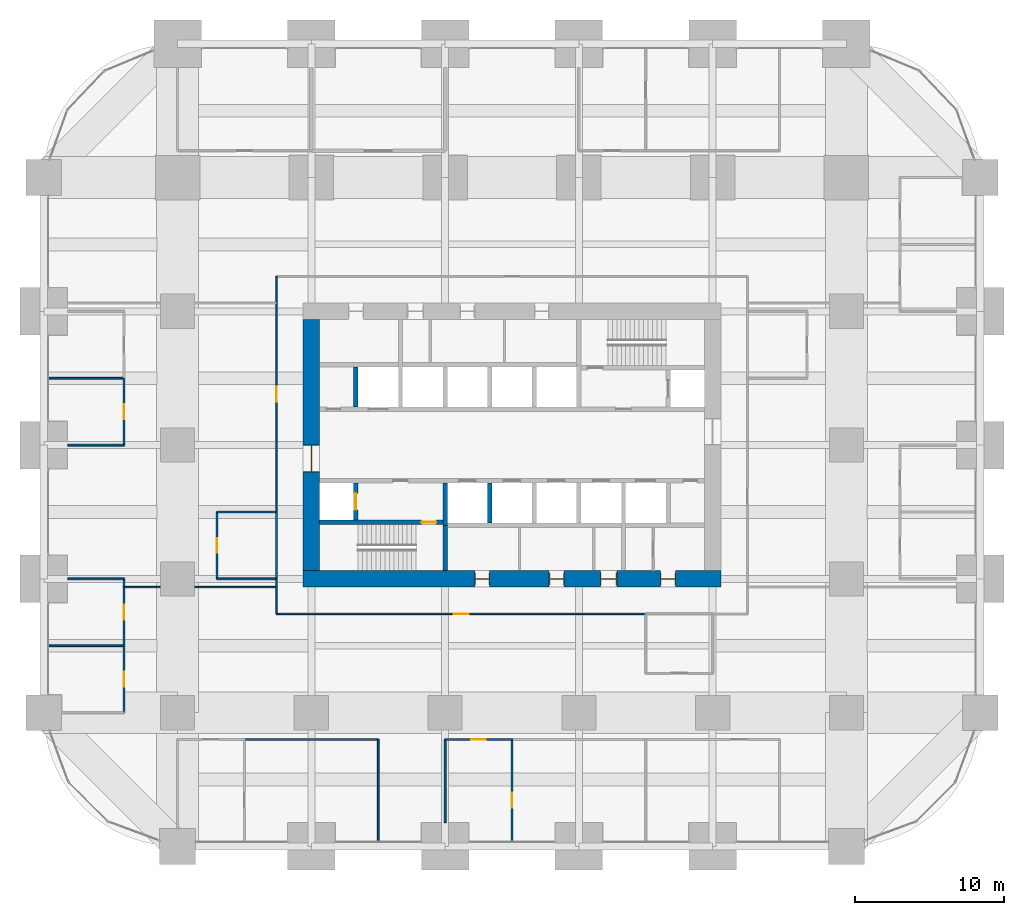
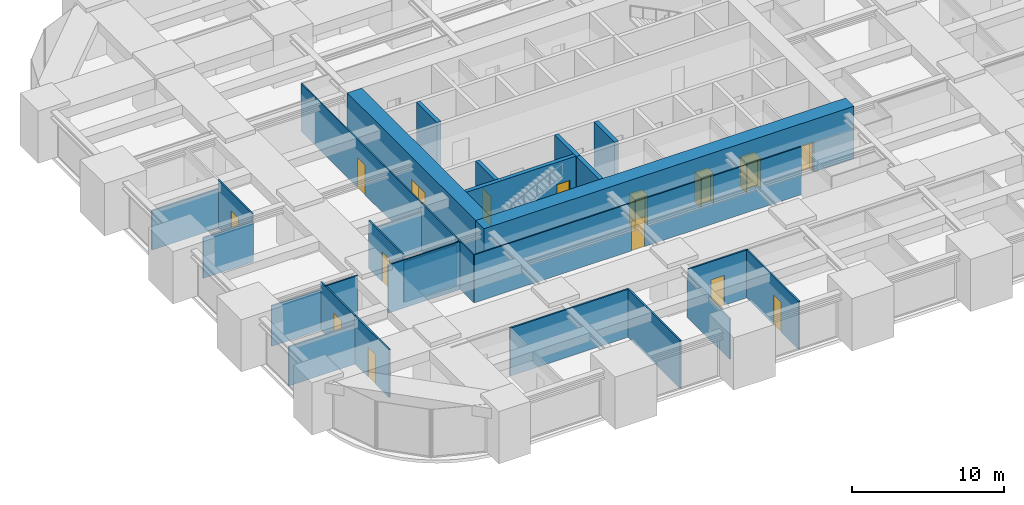
# One storey, part 38 of 42: 29 walls, 15 doors, 15 openings.
"""IFC4 building model written with IfcOpenShell, lengths in metres."""

from ifc_helpers import new_model, si_unit, direction, frame, frame_2d, origin, place, context, subcontext, project, spatial, rectangle, extrude, material, layer, layer_set, type_object, element, fill, save


model = new_model("IFC4")

# Units and contexts
model_context = context("Model", 3, precision=1e-05, world=origin(), true_north=direction((0.0, 1.0)))
body_context = subcontext(model_context, "Body", "Model", "MODEL_VIEW")
ifc_project = project(units=[si_unit("LENGTHUNIT", "METRE"), si_unit("AREAUNIT", "SQUARE_METRE"), si_unit("VOLUMEUNIT", "CUBIC_METRE"), si_unit("PLANEANGLEUNIT", "RADIAN"), si_unit("MASSUNIT", "GRAM", prefix="KILO")], contexts=[model_context])

# Site, building, storey
site_placement = place(None, origin())
site = spatial("IfcSite", under=ifc_project, at=site_placement, CompositionType="ELEMENT")
building_placement = place(site_placement, origin())
building = spatial("IfcBuilding", under=site, at=building_placement, Name="Zorevar Civic Tower", CompositionType="ELEMENT")
storey_placement = place(building_placement, frame((0.0, 0.0, 75.800048828125)))
storey = spatial("IfcBuildingStorey", under=building, at=storey_placement, Name="L18", CompositionType="ELEMENT", Elevation=75.800048828125)

# Wall, openings, doors
ifc_material_1 = material(Name="Concrete C50/60", Category="concrete")
ifc_layer_1 = layer(ifc_material_1, 1.10009765625)
ifc_layer_set_1 = layer_set([ifc_layer_1], Name="Core wall 1100")
wall_type_1 = type_object("IfcWallType", Name="Core wall 1100", PredefinedType="SHEAR", material=ifc_layer_set_1)
wall_1_placement = place(storey_placement, frame((17.449951171875, 18.0, 0.0), z_axis=(0.0, 0.0, 1.0), x_axis=(1.0, 0.0, 0.0)))
wall_1 = element("IfcWall", 1, at=wall_1_placement, inside=storey, type_object=wall_type_1, Name="Core wall S L18", PredefinedType="SHEAR", context=body_context, shape_type="SweptSolid", body=[
    extrude(rectangle(XDim=28.10009765625, YDim=1.10009765625, at=frame_2d((14.050048828125, 0.0))), origin(), (0.0, 0.0, 1.0), 4.199951171875),
])
opening_1_placement = place(wall_1_placement, frame((11.550048828125, 0.0, 0.0)))
opening_1 = element("IfcOpeningElement", 2, at=opening_1_placement, cuts=wall_1, Name="Opening L18.03", PredefinedType="OPENING", context=body_context, shape_type="SweptSolid", body=[
    extrude(rectangle(XDim=1.0, YDim=2.39990234375, at=frame_2d((0.5, 1.199951171875))), frame((0.0, 0.56005859375, 0.0), z_axis=(0.0, -1.0, 0.0), x_axis=(1.0, 0.0, 0.0)), (0.0, 0.0, 1.0), 1.1201171875),
])
opening_2_placement = place(wall_1_placement, frame((16.550048828125, 0.0, 0.0)))
opening_2 = element("IfcOpeningElement", 3, at=opening_2_placement, cuts=wall_1, Name="Opening L18.04", PredefinedType="OPENING", context=body_context, shape_type="SweptSolid", body=[
    extrude(rectangle(XDim=1.0, YDim=2.39990234375, at=frame_2d((0.5, 1.199951171875))), frame((0.0, 0.56005859375, 0.0), z_axis=(0.0, -1.0, 0.0), x_axis=(1.0, 0.0, 0.0)), (0.0, 0.0, 1.0), 1.1201171875),
])
opening_3_placement = place(wall_1_placement, frame((20.0, 0.0, 0.0)))
opening_3 = element("IfcOpeningElement", 4, at=opening_3_placement, cuts=wall_1, Name="Opening L18.05", PredefinedType="OPENING", context=body_context, shape_type="SweptSolid", body=[
    extrude(rectangle(XDim=1.10009765625, YDim=2.39990234375, at=frame_2d((0.550048828125, 1.199951171875))), frame((0.0, 0.56005859375, 0.0), z_axis=(0.0, -1.0, 0.0), x_axis=(1.0, 0.0, 0.0)), (0.0, 0.0, 1.0), 1.1201171875),
])
opening_4_placement = place(wall_1_placement, frame((24.050048828125, 0.0, 0.0)))
opening_4 = element("IfcOpeningElement", 5, at=opening_4_placement, cuts=wall_1, Name="Opening L18.06", PredefinedType="OPENING", context=body_context, shape_type="SweptSolid", body=[
    extrude(rectangle(XDim=1.0, YDim=2.39990234375, at=frame_2d((0.5, 1.199951171875))), frame((0.0, 0.56005859375, 0.0), z_axis=(0.0, -1.0, 0.0), x_axis=(1.0, 0.0, 0.0)), (0.0, 0.0, 1.0), 1.1201171875),
])
ifc_material_2 = material(Name="Timber door set", Category="wood")
door_type_1 = type_object("IfcDoorType", Name="Door D1 1000x2400", OperationType="SINGLE_SWING_LEFT", PredefinedType="DOOR", material=ifc_material_2)
door_1_placement = place(opening_1_placement, origin())
door_1 = element("IfcDoor", 6, at=door_1_placement, inside=storey, type_object=door_type_1, Name="Door L18 02", OperationType="SINGLE_SWING_RIGHT", OverallHeight=2.39990234375, OverallWidth=1.0, PredefinedType="DOOR", context=body_context, shape_type="SweptSolid", body=[
    extrude(rectangle(XDim=1.0, YDim=2.39990234375, at=frame_2d((0.5, 1.199951171875))), frame((0.0, 0.02490234375, 0.0), z_axis=(0.0, -1.0, 0.0), x_axis=(1.0, 0.0, 0.0)), (0.0, 0.0, 1.0), 0.050048828125),
    extrude(rectangle(XDim=0.04, YDim=2.39990234375, at=frame_2d((0.02001953125, 1.199951171875))), frame((0.0, 0.39990234375, 0.0), z_axis=(0.0, -1.0, 0.0), x_axis=(1.0, 0.0, 0.0)), (0.0, 0.0, 1.0), 0.800048828125),
    extrude(rectangle(XDim=0.04, YDim=2.39990234375, at=frame_2d((0.97998046875, 1.199951171875))), frame((0.0, 0.39990234375, 0.0), z_axis=(0.0, -1.0, 0.0), x_axis=(1.0, 0.0, 0.0)), (0.0, 0.0, 1.0), 0.800048828125),
    extrude(rectangle(XDim=1.0, YDim=0.04, at=frame_2d((0.5, 2.3798828125))), frame((0.0, 0.39990234375, 0.0), z_axis=(0.0, -1.0, 0.0), x_axis=(1.0, 0.0, 0.0)), (0.0, 0.0, 1.0), 0.800048828125),
])
fill(opening_1, door_1)
door_2_placement = place(opening_2_placement, origin())
door_2 = element("IfcDoor", 7, at=door_2_placement, inside=storey, type_object=door_type_1, Name="Door L18 03", OperationType="SINGLE_SWING_LEFT", OverallHeight=2.39990234375, OverallWidth=1.0, PredefinedType="DOOR", context=body_context, shape_type="SweptSolid", body=[
    extrude(rectangle(XDim=1.0, YDim=2.39990234375, at=frame_2d((0.5, 1.199951171875))), frame((0.0, 0.02490234375, 0.0), z_axis=(0.0, -1.0, 0.0), x_axis=(1.0, 0.0, 0.0)), (0.0, 0.0, 1.0), 0.050048828125),
    extrude(rectangle(XDim=0.04, YDim=2.39990234375, at=frame_2d((0.02001953125, 1.199951171875))), frame((0.0, 0.39990234375, 0.0), z_axis=(0.0, -1.0, 0.0), x_axis=(1.0, 0.0, 0.0)), (0.0, 0.0, 1.0), 0.800048828125),
    extrude(rectangle(XDim=0.04, YDim=2.39990234375, at=frame_2d((0.97998046875, 1.199951171875))), frame((0.0, 0.39990234375, 0.0), z_axis=(0.0, -1.0, 0.0), x_axis=(1.0, 0.0, 0.0)), (0.0, 0.0, 1.0), 0.800048828125),
    extrude(rectangle(XDim=1.0, YDim=0.04, at=frame_2d((0.5, 2.3798828125))), frame((0.0, 0.39990234375, 0.0), z_axis=(0.0, -1.0, 0.0), x_axis=(1.0, 0.0, 0.0)), (0.0, 0.0, 1.0), 0.800048828125),
])
fill(opening_2, door_2)
door_3_placement = place(opening_4_placement, origin())
door_3 = element("IfcDoor", 8, at=door_3_placement, inside=storey, type_object=door_type_1, Name="Door L18 05", OperationType="SINGLE_SWING_LEFT", OverallHeight=2.39990234375, OverallWidth=1.0, PredefinedType="DOOR", context=body_context, shape_type="SweptSolid", body=[
    extrude(rectangle(XDim=1.0, YDim=2.39990234375, at=frame_2d((0.5, 1.199951171875))), frame((0.0, 0.02490234375, 0.0), z_axis=(0.0, -1.0, 0.0), x_axis=(1.0, 0.0, 0.0)), (0.0, 0.0, 1.0), 0.050048828125),
    extrude(rectangle(XDim=0.04, YDim=2.39990234375, at=frame_2d((0.02001953125, 1.199951171875))), frame((0.0, 0.39990234375, 0.0), z_axis=(0.0, -1.0, 0.0), x_axis=(1.0, 0.0, 0.0)), (0.0, 0.0, 1.0), 0.800048828125),
    extrude(rectangle(XDim=0.04, YDim=2.39990234375, at=frame_2d((0.97998046875, 1.199951171875))), frame((0.0, 0.39990234375, 0.0), z_axis=(0.0, -1.0, 0.0), x_axis=(1.0, 0.0, 0.0)), (0.0, 0.0, 1.0), 0.800048828125),
    extrude(rectangle(XDim=1.0, YDim=0.04, at=frame_2d((0.5, 2.3798828125))), frame((0.0, 0.39990234375, 0.0), z_axis=(0.0, -1.0, 0.0), x_axis=(1.0, 0.0, 0.0)), (0.0, 0.0, 1.0), 0.800048828125),
])
fill(opening_4, door_3)
ifc_material_3 = material(Name="Timber door set", Category="wood")
door_type_2 = type_object("IfcDoorType", Name="Door D5 1100x2400", OperationType="SINGLE_SWING_LEFT", PredefinedType="DOOR", material=ifc_material_3)
door_4_placement = place(opening_3_placement, origin())
door_4 = element("IfcDoor", 9, at=door_4_placement, inside=storey, type_object=door_type_2, Name="Door L18 04", OperationType="SINGLE_SWING_LEFT", OverallHeight=2.39990234375, OverallWidth=1.10009765625, PredefinedType="DOOR", context=body_context, shape_type="SweptSolid", body=[
    extrude(rectangle(XDim=1.10009765625, YDim=2.39990234375, at=frame_2d((0.550048828125, 1.199951171875))), frame((0.0, 0.02490234375, 0.0), z_axis=(0.0, -1.0, 0.0), x_axis=(1.0, 0.0, 0.0)), (0.0, 0.0, 1.0), 0.050048828125),
    extrude(rectangle(XDim=0.04, YDim=2.39990234375, at=frame_2d((0.02001953125, 1.199951171875))), frame((0.0, 0.43994140625, 0.0), z_axis=(0.0, -1.0, 0.0), x_axis=(1.0, 0.0, 0.0)), (0.0, 0.0, 1.0), 0.880126953125),
    extrude(rectangle(XDim=0.04, YDim=2.39990234375, at=frame_2d((1.080078125, 1.199951171875))), frame((0.0, 0.43994140625, 0.0), z_axis=(0.0, -1.0, 0.0), x_axis=(1.0, 0.0, 0.0)), (0.0, 0.0, 1.0), 0.880126953125),
    extrude(rectangle(XDim=1.10009765625, YDim=0.04, at=frame_2d((0.550048828125, 2.3798828125))), frame((0.0, 0.43994140625, 0.0), z_axis=(0.0, -1.0, 0.0), x_axis=(1.0, 0.0, 0.0)), (0.0, 0.0, 1.0), 0.880126953125),
])
fill(opening_3, door_4)

# Wall, opening, door
wall_2_placement = place(storey_placement, frame((18.0, 35.449951171875, 0.0), z_axis=(0.0, 0.0, 1.0), x_axis=(0.0, -1.0, 0.0)))
wall_2 = element("IfcWall", 10, at=wall_2_placement, inside=storey, type_object=wall_type_1, Name="Core wall W L18", PredefinedType="SHEAR", context=body_context, shape_type="SweptSolid", body=[
    extrude(rectangle(XDim=16.89990234375, YDim=1.10009765625, at=frame_2d((8.449951171875, 0.0))), origin(), (0.0, 0.0, 1.0), 4.199951171875),
])
opening_5_placement = place(wall_2_placement, frame((8.449951171875, 0.0, 0.0)))
opening_5 = element("IfcOpeningElement", 11, at=opening_5_placement, cuts=wall_2, Name="Opening L18.01", PredefinedType="OPENING", context=body_context, shape_type="SweptSolid", body=[
    extrude(rectangle(XDim=1.800048828125, YDim=2.39990234375, at=frame_2d((0.89990234375, 1.199951171875))), frame((0.0, 0.56005859375, 0.0), z_axis=(0.0, -1.0, 0.0), x_axis=(1.0, 0.0, 0.0)), (0.0, 0.0, 1.0), 1.1201171875),
])
ifc_material_4 = material(Name="Steel door set", Category="steel")
door_type_3 = type_object("IfcDoorType", Name="Fire door FD2 1800x2400", OperationType="DOUBLE_DOOR_DOUBLE_SWING", PredefinedType="DOOR", material=ifc_material_4)
door_5_placement = place(opening_5_placement, origin())
door_5 = element("IfcDoor", 12, at=door_5_placement, inside=storey, type_object=door_type_3, Name="Door L18 00", OperationType="DOUBLE_DOOR_DOUBLE_SWING", OverallHeight=2.39990234375, OverallWidth=1.800048828125, PredefinedType="DOOR", context=body_context, shape_type="SweptSolid", body=[
    extrude(rectangle(XDim=1.800048828125, YDim=2.39990234375, at=frame_2d((0.89990234375, 1.199951171875))), frame((0.0, 0.030029296875, 0.0), z_axis=(0.0, -1.0, 0.0), x_axis=(1.0, 0.0, 0.0)), (0.0, 0.0, 1.0), 0.06005859375),
    extrude(rectangle(XDim=0.04, YDim=2.39990234375, at=frame_2d((0.02001953125, 1.199951171875))), frame((0.0, 0.5498046875, 0.0), z_axis=(0.0, -1.0, 0.0), x_axis=(1.0, 0.0, 0.0)), (0.0, 0.0, 1.0), 1.099609375),
    extrude(rectangle(XDim=0.04, YDim=2.39990234375, at=frame_2d((1.780029296875, 1.199951171875))), frame((0.0, 0.5498046875, 0.0), z_axis=(0.0, -1.0, 0.0), x_axis=(1.0, 0.0, 0.0)), (0.0, 0.0, 1.0), 1.099609375),
    extrude(rectangle(XDim=1.800048828125, YDim=0.04, at=frame_2d((0.89990234375, 2.3798828125))), frame((0.0, 0.5498046875, 0.0), z_axis=(0.0, -1.0, 0.0), x_axis=(1.0, 0.0, 0.0)), (0.0, 0.0, 1.0), 1.099609375),
])
fill(opening_5, door_5)

ifc_material_5 = material(Name="Laminated glass in black aluminium frame", Category="aluminium")
ifc_layer_2 = layer(ifc_material_5, 0.10009765625)
ifc_layer_set_2 = layer_set([ifc_layer_2], Name="Glazed partition 100")
wall_type_2 = type_object("IfcWallType", Name="Glazed partition 100", PredefinedType="PARTITIONING", material=ifc_layer_set_2)
wall_3_placement = place(storey_placement, frame((15.64990234375, 15.64990234375, 0.0), z_axis=(0.0, 0.0, 1.0), x_axis=(1.0, 0.0, 0.0)))
wall_3 = element("IfcWall", 13, at=wall_3_placement, inside=storey, type_object=wall_type_2, Name="Glazed partition 100 L18", PredefinedType="PARTITIONING", context=body_context, shape_type="SweptSolid", body=[
    extrude(rectangle(XDim=24.85009765625, YDim=0.10009765625, at=frame_2d((12.425048828125, 0.0))), origin(), (0.0, 0.0, 1.0), 3.849853515625),
])
opening_6_placement = place(wall_3_placement, frame((11.925048828125, 0.0, 0.0)))
opening_6 = element("IfcOpeningElement", 14, at=opening_6_placement, cuts=wall_3, Name="Opening L18.21", PredefinedType="OPENING", context=body_context, shape_type="SweptSolid", body=[
    extrude(rectangle(XDim=1.0, YDim=2.39990234375, at=frame_2d((0.5, 1.199951171875))), frame((0.0, 0.06005859375, 0.0), z_axis=(0.0, -1.0, 0.0), x_axis=(1.0, 0.0, 0.0)), (0.0, 0.0, 1.0), 0.1201171875),
])
ifc_material_6 = material(Name="Timber door set", Category="wood")
door_type_4 = type_object("IfcDoorType", Name="Glazed door GD1 1000x2400", OperationType="SINGLE_SWING_LEFT", PredefinedType="DOOR", material=ifc_material_6)
door_6_placement = place(opening_6_placement, origin())
door_6 = element("IfcDoor", 15, at=door_6_placement, inside=storey, type_object=door_type_4, Name="Door L18 D1", OperationType="SINGLE_SWING_RIGHT", OverallHeight=2.39990234375, OverallWidth=1.0, PredefinedType="DOOR", context=body_context, shape_type="SweptSolid", body=[
    extrude(rectangle(XDim=1.0, YDim=2.39990234375, at=frame_2d((0.5, 1.199951171875))), frame((0.0, 0.02001953125, 0.0), z_axis=(0.0, -1.0, 0.0), x_axis=(1.0, 0.0, 0.0)), (0.0, 0.0, 1.0), 0.0400390625),
])
fill(opening_6, door_6)

# Walls
wall_4_placement = place(storey_placement, frame((5.389892578125, 17.449951171875, 0.0), z_axis=(0.0, 0.0, 1.0), x_axis=(1.0, 0.0, 0.0)))
element("IfcWall", 16, at=wall_4_placement, inside=storey, type_object=wall_type_2, Name="Glazed partition 100 L18", PredefinedType="PARTITIONING", context=body_context, shape_type="SweptSolid", body=[
    extrude(rectangle(XDim=2.460205078125, YDim=0.10009765625, at=frame_2d((1.22998046875, 0.0))), origin(), (0.0, 0.0, 1.0), 3.849853515625),
])
wall_5_placement = place(storey_placement, frame((10.14990234375, 17.449951171875, 0.0), z_axis=(0.0, 0.0, 1.0), x_axis=(1.0, 0.0, 0.0)))
element("IfcWall", 17, at=wall_5_placement, inside=storey, type_object=wall_type_2, Name="Glazed partition 100 L18", PredefinedType="PARTITIONING", context=body_context, shape_type="SweptSolid", body=[
    extrude(rectangle(XDim=5.5, YDim=0.10009765625, at=frame_2d((2.75, 0.0))), origin(), (0.0, 0.0, 1.0), 3.849853515625),
])
wall_6_placement = place(storey_placement, frame((15.64990234375, 15.64990234375, 0.0), z_axis=(0.0, 0.0, 1.0), x_axis=(0.0, 1.0, 0.0)))
element("IfcWall", 18, at=wall_6_placement, inside=storey, type_object=wall_type_2, Name="Glazed partition 100 L18", PredefinedType="PARTITIONING", context=body_context, shape_type="SweptSolid", body=[
    extrude(rectangle(XDim=2.35009765625, YDim=0.10009765625, at=frame_2d((1.175048828125, 0.0))), origin(), (0.0, 0.0, 1.0), 3.849853515625),
])

# Wall, opening, door
wall_7_placement = place(storey_placement, frame((15.64990234375, 22.5, 0.0), z_axis=(0.0, 0.0, 1.0), x_axis=(0.0, 1.0, 0.0)))
wall_7 = element("IfcWall", 19, at=wall_7_placement, inside=storey, type_object=wall_type_2, Name="Glazed partition 100 L18", PredefinedType="PARTITIONING", context=body_context, shape_type="SweptSolid", body=[
    extrude(rectangle(XDim=15.85009765625, YDim=0.10009765625, at=frame_2d((7.925048828125, 0.0))), origin(), (0.0, 0.0, 1.0), 3.849853515625),
])
opening_7_placement = place(wall_7_placement, frame((7.425048828125, 0.0, 0.0)))
opening_7 = element("IfcOpeningElement", 20, at=opening_7_placement, cuts=wall_7, Name="Opening L18.32", PredefinedType="OPENING", context=body_context, shape_type="SweptSolid", body=[
    extrude(rectangle(XDim=1.0, YDim=2.39990234375, at=frame_2d((0.5, 1.199951171875))), frame((0.0, 0.06005859375, 0.0), z_axis=(0.0, -1.0, 0.0), x_axis=(1.0, 0.0, 0.0)), (0.0, 0.0, 1.0), 0.1201171875),
])
door_7_placement = place(opening_7_placement, origin())
door_7 = element("IfcDoor", 21, at=door_7_placement, inside=storey, type_object=door_type_4, Name="Door L18 D1", OperationType="SINGLE_SWING_LEFT", OverallHeight=2.39990234375, OverallWidth=1.0, PredefinedType="DOOR", context=body_context, shape_type="SweptSolid", body=[
    extrude(rectangle(XDim=1.0, YDim=2.39990234375, at=frame_2d((0.5, 1.199951171875))), frame((0.0, 0.02001953125, 0.0), z_axis=(0.0, -1.0, 0.0), x_axis=(1.0, 0.0, 0.0)), (0.0, 0.0, 1.0), 0.0400390625),
])
fill(opening_7, door_7)

ifc_material_7 = material(Name="Concrete C40/50", Category="concrete")
ifc_layer_3 = layer(ifc_material_7, 0.300048828125)
ifc_layer_set_3 = layer_set([ifc_layer_3], Name="Inner core wall 300")
wall_type_3 = type_object("IfcWallType", Name="Inner core wall 300", PredefinedType="SHEAR", material=ifc_layer_set_3)
wall_8_placement = place(storey_placement, frame((18.550048828125, 21.800048828125, 0.0), z_axis=(0.0, 0.0, 1.0), x_axis=(1.0, 0.0, 0.0)))
wall_8 = element("IfcWall", 22, at=wall_8_placement, inside=storey, type_object=wall_type_3, Name="Inner core wall S00 L18", PredefinedType="SHEAR", context=body_context, shape_type="SweptSolid", body=[
    extrude(rectangle(XDim=8.300048828125, YDim=0.300048828125, at=frame_2d((4.14990234375, 0.0))), origin(), (0.0, 0.0, 1.0), 4.199951171875),
])
opening_8_placement = place(wall_8_placement, frame((6.85009765625, 0.0, 0.0)))
opening_8 = element("IfcOpeningElement", 23, at=opening_8_placement, cuts=wall_8, Name="Opening L18.11", PredefinedType="OPENING", context=body_context, shape_type="SweptSolid", body=[
    extrude(rectangle(XDim=1.0, YDim=2.39990234375, at=frame_2d((0.5, 1.199951171875))), frame((0.0, 0.159912109375, 0.0), z_axis=(0.0, -1.0, 0.0), x_axis=(1.0, 0.0, 0.0)), (0.0, 0.0, 1.0), 0.320068359375),
])
ifc_material_8 = material(Name="Steel door set", Category="steel")
door_type_5 = type_object("IfcDoorType", Name="Fire door FD1 1000x2400", OperationType="SINGLE_SWING_LEFT", PredefinedType="DOOR", material=ifc_material_8)
door_8_placement = place(opening_8_placement, origin())
door_8 = element("IfcDoor", 24, at=door_8_placement, inside=storey, type_object=door_type_5, Name="Door L18 10", OperationType="SINGLE_SWING_RIGHT", OverallHeight=2.39990234375, OverallWidth=1.0, PredefinedType="DOOR", context=body_context, shape_type="SweptSolid", body=[
    extrude(rectangle(XDim=1.0, YDim=2.39990234375, at=frame_2d((0.5, 1.199951171875))), frame((0.0, 0.030029296875, 0.0), z_axis=(0.0, -1.0, 0.0), x_axis=(1.0, 0.0, 0.0)), (0.0, 0.0, 1.0), 0.06005859375),
])
fill(opening_8, door_8)

# Wall
wall_9_placement = place(storey_placement, frame((27.0, 18.550048828125, 0.0), z_axis=(0.0, 0.0, 1.0), x_axis=(0.0, 1.0, 0.0)))
element("IfcWall", 25, at=wall_9_placement, inside=storey, type_object=wall_type_3, Name="Inner core wall S01 L18", PredefinedType="SHEAR", context=body_context, shape_type="SweptSolid", body=[
    extrude(rectangle(XDim=3.050048828125, YDim=0.300048828125, at=frame_2d((1.52490234375, 0.0))), origin(), (0.0, 0.0, 1.0), 4.199951171875),
])

# Wall, opening, door
wall_10_placement = place(storey_placement, frame((21.0, 21.949951171875, 0.0), z_axis=(0.0, 0.0, 1.0), x_axis=(0.0, 1.0, 0.0)))
wall_10 = element("IfcWall", 26, at=wall_10_placement, inside=storey, type_object=wall_type_3, Name="Inner core wall S02 L18", PredefinedType="SHEAR", context=body_context, shape_type="SweptSolid", body=[
    extrude(rectangle(XDim=2.5, YDim=0.300048828125, at=frame_2d((1.25, 0.0))), origin(), (0.0, 0.0, 1.0), 4.199951171875),
])
opening_9_placement = place(wall_10_placement, frame((0.699951171875, 0.0, 0.0)))
opening_9 = element("IfcOpeningElement", 27, at=opening_9_placement, cuts=wall_10, Name="Opening L18.FL1", PredefinedType="OPENING", context=body_context, shape_type="SweptSolid", body=[
    extrude(rectangle(XDim=1.10009765625, YDim=2.39990234375, at=frame_2d((0.550048828125, 1.199951171875))), frame((0.0, 0.159912109375, 0.0), z_axis=(0.0, -1.0, 0.0), x_axis=(1.0, 0.0, 0.0)), (0.0, 0.0, 1.0), 0.320068359375),
])
ifc_material_9 = material(Name="Steel door set", Category="steel")
door_type_6 = type_object("IfcDoorType", Name="Firefighting lift landing door LD3 1100x2400", OperationType="DOUBLE_DOOR_SLIDING", PredefinedType="DOOR", material=ifc_material_9)
door_9_placement = place(opening_9_placement, origin())
door_9 = element("IfcDoor", 28, at=door_9_placement, inside=storey, type_object=door_type_6, Name="Landing door FL1 L18", OperationType="DOUBLE_DOOR_SLIDING", OverallHeight=2.39990234375, OverallWidth=1.10009765625, PredefinedType="DOOR", context=body_context, shape_type="SweptSolid", body=[
    extrude(rectangle(XDim=1.10009765625, YDim=2.39990234375, at=frame_2d((0.550048828125, 1.199951171875))), frame((0.0, 0.030029296875, 0.0), z_axis=(0.0, -1.0, 0.0), x_axis=(1.0, 0.0, 0.0)), (0.0, 0.0, 1.0), 0.06005859375),
])
fill(opening_9, door_9)

# Walls
for number, where, z_axis, x_axis, name in (
    (29, (30.0, 21.75, 0.0), (0.0, 0.0, 1.0), (0.0, 1.0, 0.0), "Inner core wall S05 L18"),
    (30, (21.0, 29.550048828125, 0.0), (0.0, 0.0, 1.0), (0.0, 1.0, 0.0), "Inner core wall N09 L18"),
):
    element("IfcWall", number, at=place(storey_placement, frame(where, z_axis=z_axis, x_axis=x_axis)), inside=storey, type_object=wall_type_3, Name=name, PredefinedType="SHEAR", context=body_context, shape_type="SweptSolid", body=[
        extrude(rectangle(XDim=2.699951171875, YDim=0.300048828125, at=frame_2d((1.35009765625, 0.0))), origin(), (0.0, 0.0, 1.0), 4.199951171875),
    ])
wall_11_placement = place(storey_placement, frame((27.0, 21.60009765625, 0.0), z_axis=(0.0, 0.0, 1.0), x_axis=(0.0, 1.0, 0.0)))
element("IfcWall", 31, at=wall_11_placement, inside=storey, type_object=wall_type_3, Name="Inner core wall S10 L18", PredefinedType="SHEAR", context=body_context, shape_type="SweptSolid", body=[
    extrude(rectangle(XDim=2.849853515625, YDim=0.300048828125, at=frame_2d((1.4248046875, 0.0))), origin(), (0.0, 0.0, 1.0), 4.199951171875),
])
ifc_material_10 = material(Name="Gypsum board on steel studs", Category="steel")
ifc_layer_4 = layer(ifc_material_10, 0.1201171875)
ifc_layer_set_4 = layer_set([ifc_layer_4], Name="Partition 120")
wall_type_4 = type_object("IfcWallType", Name="Partition 120", PredefinedType="PARTITIONING", material=ifc_layer_set_4)
wall_12_placement = place(storey_placement, frame((13.5, 7.199951171875, 0.0), z_axis=(0.0, 0.0, 1.0), x_axis=(1.0, 0.0, 0.0)))
element("IfcWall", 32, at=wall_12_placement, inside=storey, type_object=wall_type_4, Name="Partition 120 L18", PredefinedType="PARTITIONING", context=body_context, shape_type="SweptSolid", body=[
    extrude(rectangle(XDim=9.0, YDim=0.1201171875, at=frame_2d((4.5, 0.0))), origin(), (0.0, 0.0, 1.0), 3.849853515625),
])

# Wall, opening, door
wall_13_placement = place(storey_placement, frame((27.0, 7.199951171875, 0.0), z_axis=(0.0, 0.0, 1.0), x_axis=(1.0, 0.0, 0.0)))
wall_13 = element("IfcWall", 33, at=wall_13_placement, inside=storey, type_object=wall_type_4, Name="Partition 120 L18", PredefinedType="PARTITIONING", context=body_context, shape_type="SweptSolid", body=[
    extrude(rectangle(XDim=4.5, YDim=0.1201171875, at=frame_2d((2.25, 0.0))), origin(), (0.0, 0.0, 1.0), 3.849853515625),
])
opening_10_placement = place(wall_13_placement, frame((1.75, 0.0, 0.0)))
opening_10 = element("IfcOpeningElement", 34, at=opening_10_placement, cuts=wall_13, Name="Opening L18.18", PredefinedType="OPENING", context=body_context, shape_type="SweptSolid", body=[
    extrude(rectangle(XDim=1.0, YDim=2.39990234375, at=frame_2d((0.5, 1.199951171875))), frame((0.0, 0.070068359375, 0.0), z_axis=(0.0, -1.0, 0.0), x_axis=(1.0, 0.0, 0.0)), (0.0, 0.0, 1.0), 0.14013671875),
])
door_10_placement = place(opening_10_placement, origin())
door_10 = element("IfcDoor", 35, at=door_10_placement, inside=storey, type_object=door_type_1, Name="Door L18 D1", OperationType="SINGLE_SWING_RIGHT", OverallHeight=2.39990234375, OverallWidth=1.0, PredefinedType="DOOR", context=body_context, shape_type="SweptSolid", body=[
    extrude(rectangle(XDim=1.0, YDim=2.39990234375, at=frame_2d((0.5, 1.199951171875))), frame((0.0, 0.02490234375, 0.0), z_axis=(0.0, -1.0, 0.0), x_axis=(1.0, 0.0, 0.0)), (0.0, 0.0, 1.0), 0.050048828125),
])
fill(opening_10, door_10)

# Walls
wall_14_placement = place(storey_placement, frame((0.31005859375, 13.5, 0.0), z_axis=(0.0, 0.0, 1.0), x_axis=(1.0, 0.0, 0.0)))
element("IfcWall", 36, at=wall_14_placement, inside=storey, type_object=wall_type_4, Name="Partition 120 L18", PredefinedType="PARTITIONING", context=body_context, shape_type="SweptSolid", body=[
    extrude(rectangle(XDim=5.08984375, YDim=0.1201171875, at=frame_2d((2.544921875, 0.0))), origin(), (0.0, 0.0, 1.0), 3.14990234375),
])
wall_15_placement = place(storey_placement, frame((11.64990234375, 18.0, 0.0), z_axis=(0.0, 0.0, 1.0), x_axis=(1.0, 0.0, 0.0)))
element("IfcWall", 37, at=wall_15_placement, inside=storey, type_object=wall_type_4, Name="Partition 120 L18", PredefinedType="PARTITIONING", context=body_context, shape_type="SweptSolid", body=[
    extrude(rectangle(XDim=4.0, YDim=0.1201171875, at=frame_2d((2.0, 0.0))), origin(), (0.0, 0.0, 1.0), 3.25),
])
wall_16_placement = place(storey_placement, frame((1.60009765625, 18.0, 0.0), z_axis=(0.0, 0.0, 1.0), x_axis=(1.0, 0.0, 0.0)))
element("IfcWall", 38, at=wall_16_placement, inside=storey, type_object=wall_type_4, Name="Partition 120 L18", PredefinedType="PARTITIONING", context=body_context, shape_type="SweptSolid", body=[
    extrude(rectangle(XDim=3.7998046875, YDim=0.1201171875, at=frame_2d((1.89990234375, 0.0))), origin(), (0.0, 0.0, 1.0), 3.25),
])
wall_17_placement = place(storey_placement, frame((11.64990234375, 22.5, 0.0), z_axis=(0.0, 0.0, 1.0), x_axis=(1.0, 0.0, 0.0)))
element("IfcWall", 39, at=wall_17_placement, inside=storey, type_object=wall_type_4, Name="Partition 120 L18", PredefinedType="PARTITIONING", context=body_context, shape_type="SweptSolid", body=[
    extrude(rectangle(XDim=4.0, YDim=0.1201171875, at=frame_2d((2.0, 0.0))), origin(), (0.0, 0.0, 1.0), 3.14990234375),
])
wall_18_placement = place(storey_placement, frame((1.60009765625, 27.0, 0.0), z_axis=(0.0, 0.0, 1.0), x_axis=(1.0, 0.0, 0.0)))
element("IfcWall", 40, at=wall_18_placement, inside=storey, type_object=wall_type_4, Name="Partition 120 L18", PredefinedType="PARTITIONING", context=body_context, shape_type="SweptSolid", body=[
    extrude(rectangle(XDim=3.7998046875, YDim=0.1201171875, at=frame_2d((1.89990234375, 0.0))), origin(), (0.0, 0.0, 1.0), 3.25),
])
wall_19_placement = place(storey_placement, frame((0.31005859375, 31.5, 0.0), z_axis=(0.0, 0.0, 1.0), x_axis=(1.0, 0.0, 0.0)))
element("IfcWall", 41, at=wall_19_placement, inside=storey, type_object=wall_type_4, Name="Partition 120 L18", PredefinedType="PARTITIONING", context=body_context, shape_type="SweptSolid", body=[
    extrude(rectangle(XDim=5.08984375, YDim=0.1201171875, at=frame_2d((2.544921875, 0.0))), origin(), (0.0, 0.0, 1.0), 3.14990234375),
])

# Wall, opening, door
wall_20_placement = place(storey_placement, frame((5.39990234375, 9.0, 0.0), z_axis=(0.0, 0.0, 1.0), x_axis=(0.0, 1.0, 0.0)))
wall_20 = element("IfcWall", 42, at=wall_20_placement, inside=storey, type_object=wall_type_4, Name="Partition 120 L18", PredefinedType="PARTITIONING", context=body_context, shape_type="SweptSolid", body=[
    extrude(rectangle(XDim=4.5, YDim=0.1201171875, at=frame_2d((2.25, 0.0))), origin(), (0.0, 0.0, 1.0), 3.849853515625),
])
opening_11_placement = place(wall_20_placement, frame((1.75, 0.0, 0.0)))
opening_11 = element("IfcOpeningElement", 43, at=opening_11_placement, cuts=wall_20, Name="Opening L18.26", PredefinedType="OPENING", context=body_context, shape_type="SweptSolid", body=[
    extrude(rectangle(XDim=1.0, YDim=2.39990234375, at=frame_2d((0.5, 1.199951171875))), frame((0.0, 0.070068359375, 0.0), z_axis=(0.0, -1.0, 0.0), x_axis=(1.0, 0.0, 0.0)), (0.0, 0.0, 1.0), 0.14013671875),
])
door_11_placement = place(opening_11_placement, origin())
door_11 = element("IfcDoor", 44, at=door_11_placement, inside=storey, type_object=door_type_1, Name="Door L18 D1", OperationType="SINGLE_SWING_RIGHT", OverallHeight=2.39990234375, OverallWidth=1.0, PredefinedType="DOOR", context=body_context, shape_type="SweptSolid", body=[
    extrude(rectangle(XDim=1.0, YDim=2.39990234375, at=frame_2d((0.5, 1.199951171875))), frame((0.0, 0.02490234375, 0.0), z_axis=(0.0, -1.0, 0.0), x_axis=(1.0, 0.0, 0.0)), (0.0, 0.0, 1.0), 0.050048828125),
])
fill(opening_11, door_11)

wall_21_placement = place(storey_placement, frame((5.39990234375, 13.5, 0.0), z_axis=(0.0, 0.0, 1.0), x_axis=(0.0, 1.0, 0.0)))
wall_21 = element("IfcWall", 45, at=wall_21_placement, inside=storey, type_object=wall_type_4, Name="Partition 120 L18", PredefinedType="PARTITIONING", context=body_context, shape_type="SweptSolid", body=[
    extrude(rectangle(XDim=4.5, YDim=0.1201171875, at=frame_2d((2.25, 0.0))), origin(), (0.0, 0.0, 1.0), 3.849853515625),
])
opening_12_placement = place(wall_21_placement, frame((1.75, 0.0, 0.0)))
opening_12 = element("IfcOpeningElement", 46, at=opening_12_placement, cuts=wall_21, Name="Opening L18.27", PredefinedType="OPENING", context=body_context, shape_type="SweptSolid", body=[
    extrude(rectangle(XDim=1.0, YDim=2.39990234375, at=frame_2d((0.5, 1.199951171875))), frame((0.0, 0.070068359375, 0.0), z_axis=(0.0, -1.0, 0.0), x_axis=(1.0, 0.0, 0.0)), (0.0, 0.0, 1.0), 0.14013671875),
])
door_12_placement = place(opening_12_placement, origin())
door_12 = element("IfcDoor", 47, at=door_12_placement, inside=storey, type_object=door_type_1, Name="Door L18 D1", OperationType="SINGLE_SWING_RIGHT", OverallHeight=2.39990234375, OverallWidth=1.0, PredefinedType="DOOR", context=body_context, shape_type="SweptSolid", body=[
    extrude(rectangle(XDim=1.0, YDim=2.39990234375, at=frame_2d((0.5, 1.199951171875))), frame((0.0, 0.02490234375, 0.0), z_axis=(0.0, -1.0, 0.0), x_axis=(1.0, 0.0, 0.0)), (0.0, 0.0, 1.0), 0.050048828125),
])
fill(opening_12, door_12)

wall_22_placement = place(storey_placement, frame((5.39990234375, 27.0, 0.0), z_axis=(0.0, 0.0, 1.0), x_axis=(0.0, 1.0, 0.0)))
wall_22 = element("IfcWall", 48, at=wall_22_placement, inside=storey, type_object=wall_type_4, Name="Partition 120 L18", PredefinedType="PARTITIONING", context=body_context, shape_type="SweptSolid", body=[
    extrude(rectangle(XDim=4.5, YDim=0.1201171875, at=frame_2d((2.25, 0.0))), origin(), (0.0, 0.0, 1.0), 3.849853515625),
])
opening_13_placement = place(wall_22_placement, frame((1.75, 0.0, 0.0)))
opening_13 = element("IfcOpeningElement", 49, at=opening_13_placement, cuts=wall_22, Name="Opening L18.28", PredefinedType="OPENING", context=body_context, shape_type="SweptSolid", body=[
    extrude(rectangle(XDim=1.0, YDim=2.39990234375, at=frame_2d((0.5, 1.199951171875))), frame((0.0, 0.070068359375, 0.0), z_axis=(0.0, -1.0, 0.0), x_axis=(1.0, 0.0, 0.0)), (0.0, 0.0, 1.0), 0.14013671875),
])
door_13_placement = place(opening_13_placement, origin())
door_13 = element("IfcDoor", 50, at=door_13_placement, inside=storey, type_object=door_type_1, Name="Door L18 D1", OperationType="SINGLE_SWING_RIGHT", OverallHeight=2.39990234375, OverallWidth=1.0, PredefinedType="DOOR", context=body_context, shape_type="SweptSolid", body=[
    extrude(rectangle(XDim=1.0, YDim=2.39990234375, at=frame_2d((0.5, 1.199951171875))), frame((0.0, 0.02490234375, 0.0), z_axis=(0.0, -1.0, 0.0), x_axis=(1.0, 0.0, 0.0)), (0.0, 0.0, 1.0), 0.050048828125),
])
fill(opening_13, door_13)

wall_23_placement = place(storey_placement, frame((11.64990234375, 18.0, 0.0), z_axis=(0.0, 0.0, 1.0), x_axis=(0.0, 1.0, 0.0)))
wall_23 = element("IfcWall", 51, at=wall_23_placement, inside=storey, type_object=wall_type_4, Name="Partition 120 L18", PredefinedType="PARTITIONING", context=body_context, shape_type="SweptSolid", body=[
    extrude(rectangle(XDim=4.5, YDim=0.1201171875, at=frame_2d((2.25, 0.0))), origin(), (0.0, 0.0, 1.0), 3.849853515625),
])
opening_14_placement = place(wall_23_placement, frame((1.75, 0.0, 0.0)))
opening_14 = element("IfcOpeningElement", 52, at=opening_14_placement, cuts=wall_23, Name="Opening L18.30", PredefinedType="OPENING", context=body_context, shape_type="SweptSolid", body=[
    extrude(rectangle(XDim=1.0, YDim=2.39990234375, at=frame_2d((0.5, 1.199951171875))), frame((0.0, 0.070068359375, 0.0), z_axis=(0.0, -1.0, 0.0), x_axis=(1.0, 0.0, 0.0)), (0.0, 0.0, 1.0), 0.14013671875),
])
door_14_placement = place(opening_14_placement, origin())
door_14 = element("IfcDoor", 53, at=door_14_placement, inside=storey, type_object=door_type_1, Name="Door L18 D1", OperationType="SINGLE_SWING_RIGHT", OverallHeight=2.39990234375, OverallWidth=1.0, PredefinedType="DOOR", context=body_context, shape_type="SweptSolid", body=[
    extrude(rectangle(XDim=1.0, YDim=2.39990234375, at=frame_2d((0.5, 1.199951171875))), frame((0.0, 0.02490234375, 0.0), z_axis=(0.0, -1.0, 0.0), x_axis=(1.0, 0.0, 0.0)), (0.0, 0.0, 1.0), 0.050048828125),
])
fill(opening_14, door_14)

# Walls
wall_24_placement = place(storey_placement, frame((15.64990234375, 18.0, 0.0), z_axis=(0.0, 0.0, 1.0), x_axis=(0.0, 1.0, 0.0)))
element("IfcWall", 54, at=wall_24_placement, inside=storey, type_object=wall_type_4, Name="Partition 120 L18", PredefinedType="PARTITIONING", context=body_context, shape_type="SweptSolid", body=[
    extrude(rectangle(XDim=4.5, YDim=0.1201171875, at=frame_2d((2.25, 0.0))), origin(), (0.0, 0.0, 1.0), 3.849853515625),
])
wall_25_placement = place(storey_placement, frame((22.5, 0.31005859375, 0.0), z_axis=(0.0, 0.0, 1.0), x_axis=(0.0, 1.0, 0.0)))
element("IfcWall", 55, at=wall_25_placement, inside=storey, type_object=wall_type_4, Name="Partition 120 L18", PredefinedType="PARTITIONING", context=body_context, shape_type="SweptSolid", body=[
    extrude(rectangle(XDim=6.889892578125, YDim=0.1201171875, at=frame_2d((3.44482421875, 0.0))), origin(), (0.0, 0.0, 1.0), 3.849853515625),
])
wall_26_placement = place(storey_placement, frame((27.0, 1.60009765625, 0.0), z_axis=(0.0, 0.0, 1.0), x_axis=(0.0, 1.0, 0.0)))
element("IfcWall", 56, at=wall_26_placement, inside=storey, type_object=wall_type_4, Name="Partition 120 L18", PredefinedType="PARTITIONING", context=body_context, shape_type="SweptSolid", body=[
    extrude(rectangle(XDim=5.599853515625, YDim=0.1201171875, at=frame_2d((2.7998046875, 0.0))), origin(), (0.0, 0.0, 1.0), 3.25),
])

# Wall, opening, door
wall_27_placement = place(storey_placement, frame((31.5, 0.31005859375, 0.0), z_axis=(0.0, 0.0, 1.0), x_axis=(0.0, 1.0, 0.0)))
wall_27 = element("IfcWall", 57, at=wall_27_placement, inside=storey, type_object=wall_type_4, Name="Partition 120 L18", PredefinedType="PARTITIONING", context=body_context, shape_type="SweptSolid", body=[
    extrude(rectangle(XDim=6.889892578125, YDim=0.1201171875, at=frame_2d((3.44482421875, 0.0))), origin(), (0.0, 0.0, 1.0), 3.849853515625),
])
opening_15_placement = place(wall_27_placement, frame((2.2900390625, 0.0, 0.0)))
opening_15 = element("IfcOpeningElement", 58, at=opening_15_placement, cuts=wall_27, Name="Opening L18.33", PredefinedType="OPENING", context=body_context, shape_type="SweptSolid", body=[
    extrude(rectangle(XDim=1.0, YDim=2.39990234375, at=frame_2d((0.5, 1.199951171875))), frame((0.0, 0.070068359375, 0.0), z_axis=(0.0, -1.0, 0.0), x_axis=(1.0, 0.0, 0.0)), (0.0, 0.0, 1.0), 0.14013671875),
])
door_15_placement = place(opening_15_placement, origin())
door_15 = element("IfcDoor", 59, at=door_15_placement, inside=storey, type_object=door_type_1, Name="Door L18 D1", OperationType="SINGLE_SWING_LEFT", OverallHeight=2.39990234375, OverallWidth=1.0, PredefinedType="DOOR", context=body_context, shape_type="SweptSolid", body=[
    extrude(rectangle(XDim=1.0, YDim=2.39990234375, at=frame_2d((0.5, 1.199951171875))), frame((0.0, 0.02490234375, 0.0), z_axis=(0.0, -1.0, 0.0), x_axis=(1.0, 0.0, 0.0)), (0.0, 0.0, 1.0), 0.050048828125),
])
fill(opening_15, door_15)

save(model, "model.ifc")
